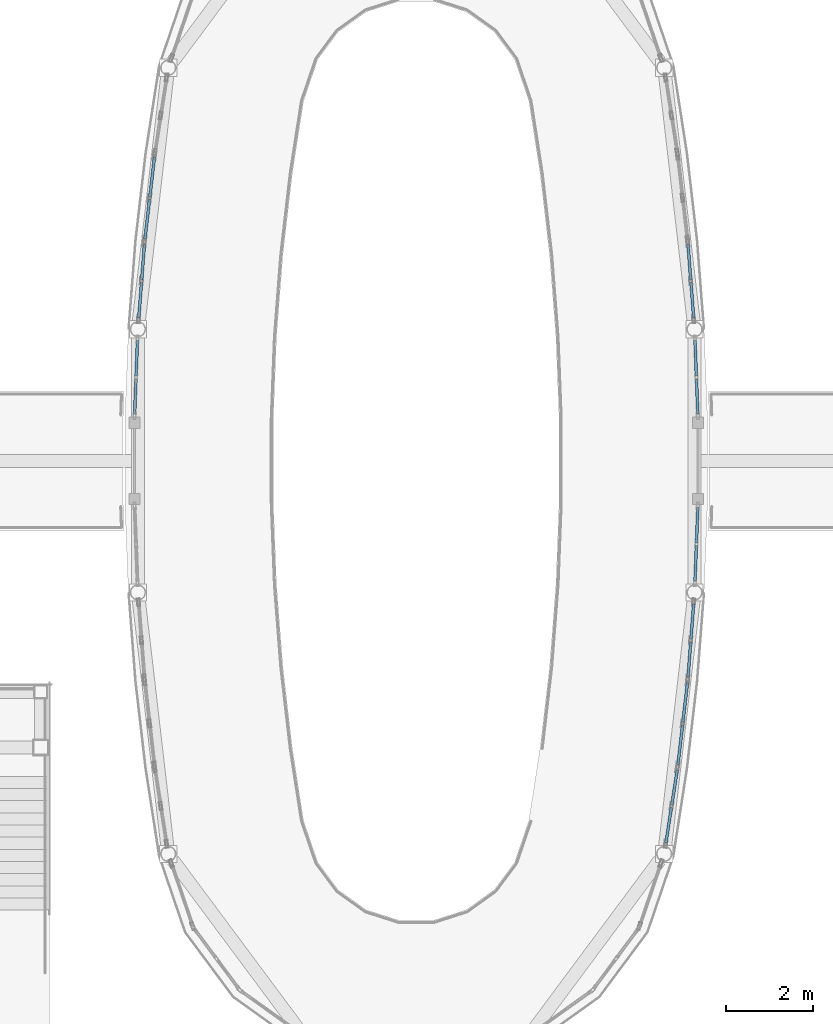
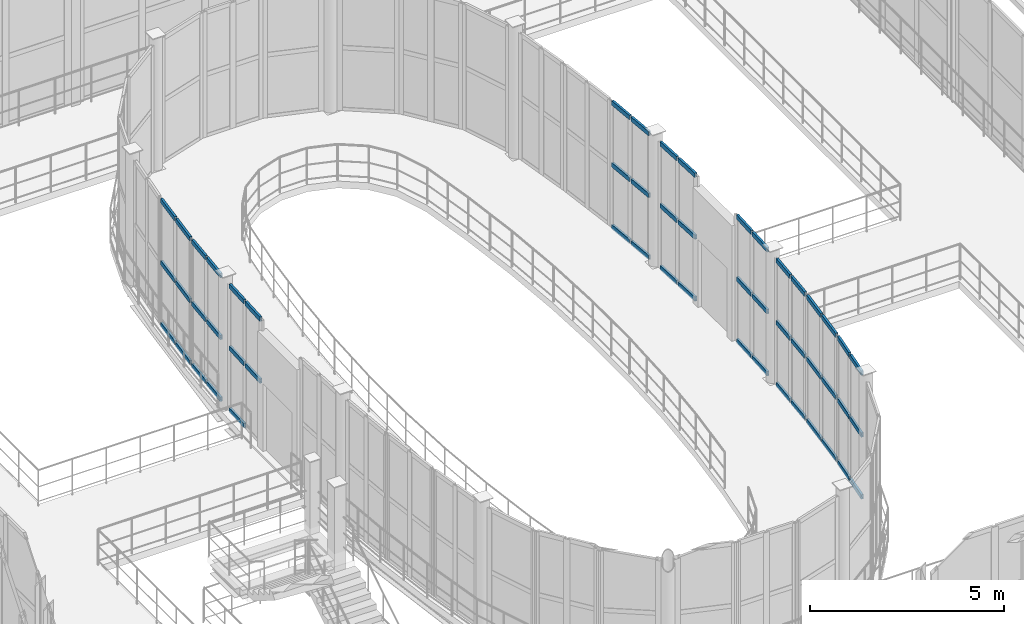
# One storey, part 90 of 138: 53 members, 9 elements without a shape of their own.
"""IFC4 building model written with IfcOpenShell, lengths in metres."""

from ifc_helpers import new_model, si_unit, direction, frame, origin, origin_2d, place, context, subcontext, project, spatial, hollow_rectangle, extrude, material, layer, layer_set, material_profile, profile_set, type_object, element, aggregate, save


model = new_model("IFC4")

# Units and contexts
model_context = context("Model", 3, precision=1e-05, world=origin(), true_north=direction((0.0, 1.0)))
body_context = subcontext(model_context, "Body", "Model", "MODEL_VIEW")
ifc_project = project(units=[si_unit("LENGTHUNIT", "METRE"), si_unit("AREAUNIT", "SQUARE_METRE"), si_unit("VOLUMEUNIT", "CUBIC_METRE"), si_unit("PLANEANGLEUNIT", "RADIAN"), si_unit("MASSUNIT", "GRAM", prefix="KILO")], contexts=[model_context])

# Site, building, storey
site_placement = place(None, origin())
site = spatial("IfcSite", under=ifc_project, at=site_placement, CompositionType="ELEMENT")
building_placement = place(site_placement, origin())
building = spatial("IfcBuilding", under=site, at=building_placement, Name="Vinh Khe Railworks Police Headquarters", CompositionType="ELEMENT")
storey_placement = place(building_placement, frame((0.0, 0.0, 9.0)))
storey = spatial("IfcBuildingStorey", under=building, at=storey_placement, Name="L02", CompositionType="ELEMENT", Elevation=9.0)

# Curtain wall, members
ifc_material_1 = material(Name="Anodised aluminium and acoustic laminated glass", Category="aluminium")
ifc_layer = layer(ifc_material_1, 0.159912109375)
ifc_layer_set = layer_set([ifc_layer], Name="Anodised aluminium and acoustic laminated glass")
curtain_wall_type = type_object("IfcCurtainWallType", Name="CW-DRUM-CHORD", PredefinedType="USERDEFINED", material=ifc_layer_set)
curtain_wall_1_placement = place(storey_placement, origin())
curtain_wall_1 = element("IfcCurtainWall", 1, at=curtain_wall_1_placement, inside=storey, type_object=curtain_wall_type, Name="Elliptical Command Drum Glazing L02 Chord 1", ObjectType="DRUM FACADE GLAZING", PredefinedType="USERDEFINED")
ifc_material_2 = material(Name="Anodised aluminium 6063-T6", Category="aluminium")
ifc_material_profile = material_profile(ifc_material_2, hollow_rectangle(XDim=0.06494140625, YDim=0.139892578125, WallThickness=0.00390625, at=origin_2d()), Name="CW-T 65x140x4")
ifc_profile_set = profile_set([ifc_material_profile], Name="Anodised aluminium 6063-T6")
member_type = type_object("IfcMemberType", Name="TRAN-CWT-02", PredefinedType="USERDEFINED", material=ifc_profile_set)
member_1_placement = place(storey_placement, frame((48.953369140625, 33.203857421875, 0.032470703125), z_axis=(0.153407952205, 0.988162942131, 0.0), x_axis=(-0.988162942131, 0.153407952205, 0.0)))
member_1 = element("IfcMember", 2, at=member_1_placement, type_object=member_type, Name="CW-02 transom 1.1", ObjectType="TRANSOM", PredefinedType="USERDEFINED", context=body_context, shape_type="SweptSolid", body=[
    extrude(hollow_rectangle(XDim=0.06494140625, YDim=0.139892578125, WallThickness=0.00390625, at=origin_2d()), origin(), (0.0, 0.0, 1.0), 0.81494140625),
])
member_2_placement = place(storey_placement, frame((48.953369140625, 33.203857421875, 1.985107421875), z_axis=(0.153407952205, 0.988162942131, 0.0), x_axis=(-0.988162942131, 0.153407952205, 0.0)))
member_2 = element("IfcMember", 3, at=member_2_placement, type_object=member_type, Name="CW-02 transom 1.2", ObjectType="TRANSOM", PredefinedType="USERDEFINED", context=body_context, shape_type="SweptSolid", body=[
    extrude(hollow_rectangle(XDim=0.06494140625, YDim=0.139892578125, WallThickness=0.00390625, at=origin_2d()), origin(), (0.0, 0.0, 1.0), 0.81494140625),
])
member_3_placement = place(storey_placement, frame((48.953369140625, 33.203857421875, 3.9375), z_axis=(0.153407952205, 0.988162942131, 0.0), x_axis=(-0.988162942131, 0.153407952205, 0.0)))
member_3 = element("IfcMember", 4, at=member_3_placement, type_object=member_type, Name="CW-02 transom 1.3", ObjectType="TRANSOM", PredefinedType="USERDEFINED", context=body_context, shape_type="SweptSolid", body=[
    extrude(hollow_rectangle(XDim=0.06494140625, YDim=0.139892578125, WallThickness=0.00390625, at=origin_2d()), origin(), (0.0, 0.0, 1.0), 0.81494140625),
])
member_4_placement = place(storey_placement, frame((49.08837890625, 34.0732421875, 0.032470703125), z_axis=(0.153700505555, 0.988117480157, 0.0), x_axis=(-0.988117480157, 0.153700505555, 0.0)))
member_4 = element("IfcMember", 5, at=member_4_placement, type_object=member_type, Name="CW-02 transom 2.1", ObjectType="TRANSOM", PredefinedType="USERDEFINED", context=body_context, shape_type="SweptSolid", body=[
    extrude(hollow_rectangle(XDim=0.06494140625, YDim=0.139892578125, WallThickness=0.00390625, at=origin_2d()), origin(), (0.0, 0.0, 1.0), 0.81494140625),
])
member_5_placement = place(storey_placement, frame((49.08837890625, 34.0732421875, 1.985107421875), z_axis=(0.153700505555, 0.988117480157, 0.0), x_axis=(-0.988117480157, 0.153700505555, 0.0)))
member_5 = element("IfcMember", 6, at=member_5_placement, type_object=member_type, Name="CW-02 transom 2.2", ObjectType="TRANSOM", PredefinedType="USERDEFINED", context=body_context, shape_type="SweptSolid", body=[
    extrude(hollow_rectangle(XDim=0.06494140625, YDim=0.139892578125, WallThickness=0.00390625, at=origin_2d()), origin(), (0.0, 0.0, 1.0), 0.81494140625),
])
member_6_placement = place(storey_placement, frame((49.08837890625, 34.0732421875, 3.9375), z_axis=(0.153700505555, 0.988117480157, 0.0), x_axis=(-0.988117480157, 0.153700505555, 0.0)))
member_6 = element("IfcMember", 7, at=member_6_placement, type_object=member_type, Name="CW-02 transom 2.3", ObjectType="TRANSOM", PredefinedType="USERDEFINED", context=body_context, shape_type="SweptSolid", body=[
    extrude(hollow_rectangle(XDim=0.06494140625, YDim=0.139892578125, WallThickness=0.00390625, at=origin_2d()), origin(), (0.0, 0.0, 1.0), 0.81494140625),
])
aggregate(curtain_wall_1, [member_1, member_2, member_3, member_4, member_5, member_6])

curtain_wall_2_placement = place(storey_placement, origin())
curtain_wall_2 = element("IfcCurtainWall", 8, at=curtain_wall_2_placement, inside=storey, type_object=curtain_wall_type, Name="Elliptical Command Drum Glazing L02 Chord 2", ObjectType="DRUM FACADE GLAZING", PredefinedType="USERDEFINED")
member_7_placement = place(storey_placement, frame((49.23095703125, 35.007080078125, 0.032470703125), z_axis=(0.115415034378, 0.993317356055, 0.0), x_axis=(-0.993317356055, 0.115415034378, 0.0)))
member_7 = element("IfcMember", 9, at=member_7_placement, type_object=member_type, Name="CW-02 transom 1.1", ObjectType="TRANSOM", PredefinedType="USERDEFINED", context=body_context, shape_type="SweptSolid", body=[
    extrude(hollow_rectangle(XDim=0.06494140625, YDim=0.139892578125, WallThickness=0.00390625, at=origin_2d()), origin(), (0.0, 0.0, 1.0), 0.913818359375),
])
member_8_placement = place(storey_placement, frame((49.23095703125, 35.007080078125, 1.985107421875), z_axis=(0.115415034378, 0.993317356055, 0.0), x_axis=(-0.993317356055, 0.115415034378, 0.0)))
member_8 = element("IfcMember", 10, at=member_8_placement, type_object=member_type, Name="CW-02 transom 1.2", ObjectType="TRANSOM", PredefinedType="USERDEFINED", context=body_context, shape_type="SweptSolid", body=[
    extrude(hollow_rectangle(XDim=0.06494140625, YDim=0.139892578125, WallThickness=0.00390625, at=origin_2d()), origin(), (0.0, 0.0, 1.0), 0.913818359375),
])
member_9_placement = place(storey_placement, frame((49.23095703125, 35.007080078125, 3.9375), z_axis=(0.115415034378, 0.993317356055, 0.0), x_axis=(-0.993317356055, 0.115415034378, 0.0)))
member_9 = element("IfcMember", 11, at=member_9_placement, type_object=member_type, Name="CW-02 transom 1.3", ObjectType="TRANSOM", PredefinedType="USERDEFINED", context=body_context, shape_type="SweptSolid", body=[
    extrude(hollow_rectangle(XDim=0.06494140625, YDim=0.139892578125, WallThickness=0.00390625, at=origin_2d()), origin(), (0.0, 0.0, 1.0), 0.913818359375),
])
member_10_placement = place(storey_placement, frame((49.34375, 35.979248046875, 0.032470703125), z_axis=(0.115415034378, 0.993317356055, 0.0), x_axis=(-0.993317356055, 0.115415034378, 0.0)))
member_10 = element("IfcMember", 12, at=member_10_placement, type_object=member_type, Name="CW-02 transom 2.1", ObjectType="TRANSOM", PredefinedType="USERDEFINED", context=body_context, shape_type="SweptSolid", body=[
    extrude(hollow_rectangle(XDim=0.06494140625, YDim=0.139892578125, WallThickness=0.00390625, at=origin_2d()), origin(), (0.0, 0.0, 1.0), 0.913818359375),
])
member_11_placement = place(storey_placement, frame((49.34375, 35.979248046875, 1.985107421875), z_axis=(0.115415034378, 0.993317356055, 0.0), x_axis=(-0.993317356055, 0.115415034378, 0.0)))
member_11 = element("IfcMember", 13, at=member_11_placement, type_object=member_type, Name="CW-02 transom 2.2", ObjectType="TRANSOM", PredefinedType="USERDEFINED", context=body_context, shape_type="SweptSolid", body=[
    extrude(hollow_rectangle(XDim=0.06494140625, YDim=0.139892578125, WallThickness=0.00390625, at=origin_2d()), origin(), (0.0, 0.0, 1.0), 0.913818359375),
])
member_12_placement = place(storey_placement, frame((49.34375, 35.979248046875, 3.9375), z_axis=(0.115415034378, 0.993317356055, 0.0), x_axis=(-0.993317356055, 0.115415034378, 0.0)))
member_12 = element("IfcMember", 14, at=member_12_placement, type_object=member_type, Name="CW-02 transom 2.3", ObjectType="TRANSOM", PredefinedType="USERDEFINED", context=body_context, shape_type="SweptSolid", body=[
    extrude(hollow_rectangle(XDim=0.06494140625, YDim=0.139892578125, WallThickness=0.00390625, at=origin_2d()), origin(), (0.0, 0.0, 1.0), 0.913818359375),
])
aggregate(curtain_wall_2, [member_7, member_8, member_9, member_10, member_11, member_12])

curtain_wall_3_placement = place(storey_placement, origin())
curtain_wall_3 = element("IfcCurtainWall", 15, at=curtain_wall_3_placement, inside=storey, type_object=curtain_wall_type, Name="Elliptical Command Drum Glazing L02 Chord 3", ObjectType="DRUM FACADE GLAZING", PredefinedType="USERDEFINED")
member_13_placement = place(storey_placement, frame((49.461669921875, 37.016357421875, 0.032470703125), z_axis=(0.077017326993, 0.997029754492, 0.0), x_axis=(-0.997029754492, 0.077017326993, 0.0)))
member_13 = element("IfcMember", 16, at=member_13_placement, type_object=member_type, Name="CW-02 transom 1.1", ObjectType="TRANSOM", PredefinedType="USERDEFINED", context=body_context, shape_type="SweptSolid", body=[
    extrude(hollow_rectangle(XDim=0.06494140625, YDim=0.139892578125, WallThickness=0.00390625, at=origin_2d()), origin(), (0.0, 0.0, 1.0), 0.814697265625),
])
member_14_placement = place(storey_placement, frame((49.461669921875, 37.016357421875, 1.985107421875), z_axis=(0.077017326993, 0.997029754492, 0.0), x_axis=(-0.997029754492, 0.077017326993, 0.0)))
member_14 = element("IfcMember", 17, at=member_14_placement, type_object=member_type, Name="CW-02 transom 1.2", ObjectType="TRANSOM", PredefinedType="USERDEFINED", context=body_context, shape_type="SweptSolid", body=[
    extrude(hollow_rectangle(XDim=0.06494140625, YDim=0.139892578125, WallThickness=0.00390625, at=origin_2d()), origin(), (0.0, 0.0, 1.0), 0.814697265625),
])
member_15_placement = place(storey_placement, frame((49.461669921875, 37.016357421875, 3.9375), z_axis=(0.077017326993, 0.997029754492, 0.0), x_axis=(-0.997029754492, 0.077017326993, 0.0)))
member_15 = element("IfcMember", 18, at=member_15_placement, type_object=member_type, Name="CW-02 transom 1.3", ObjectType="TRANSOM", PredefinedType="USERDEFINED", context=body_context, shape_type="SweptSolid", body=[
    extrude(hollow_rectangle(XDim=0.06494140625, YDim=0.139892578125, WallThickness=0.00390625, at=origin_2d()), origin(), (0.0, 0.0, 1.0), 0.814697265625),
])
member_16_placement = place(storey_placement, frame((49.529541015625, 37.8935546875, 0.032470703125), z_axis=(0.076719415969, 0.997052722384, 0.0), x_axis=(-0.997052722384, 0.076719415969, 0.0)))
member_16 = element("IfcMember", 19, at=member_16_placement, type_object=member_type, Name="CW-02 transom 2.1", ObjectType="TRANSOM", PredefinedType="USERDEFINED", context=body_context, shape_type="SweptSolid", body=[
    extrude(hollow_rectangle(XDim=0.06494140625, YDim=0.139892578125, WallThickness=0.00390625, at=origin_2d()), origin(), (0.0, 0.0, 1.0), 0.814697265625),
])
member_17_placement = place(storey_placement, frame((49.529541015625, 37.8935546875, 1.985107421875), z_axis=(0.076719415969, 0.997052722384, 0.0), x_axis=(-0.997052722384, 0.076719415969, 0.0)))
member_17 = element("IfcMember", 20, at=member_17_placement, type_object=member_type, Name="CW-02 transom 2.2", ObjectType="TRANSOM", PredefinedType="USERDEFINED", context=body_context, shape_type="SweptSolid", body=[
    extrude(hollow_rectangle(XDim=0.06494140625, YDim=0.139892578125, WallThickness=0.00390625, at=origin_2d()), origin(), (0.0, 0.0, 1.0), 0.814697265625),
])
member_18_placement = place(storey_placement, frame((49.529541015625, 37.8935546875, 3.9375), z_axis=(0.076719415969, 0.997052722384, 0.0), x_axis=(-0.997052722384, 0.076719415969, 0.0)))
member_18 = element("IfcMember", 21, at=member_18_placement, type_object=member_type, Name="CW-02 transom 2.3", ObjectType="TRANSOM", PredefinedType="USERDEFINED", context=body_context, shape_type="SweptSolid", body=[
    extrude(hollow_rectangle(XDim=0.06494140625, YDim=0.139892578125, WallThickness=0.00390625, at=origin_2d()), origin(), (0.0, 0.0, 1.0), 0.814697265625),
])
aggregate(curtain_wall_3, [member_13, member_14, member_15, member_16, member_17, member_18])

curtain_wall_4_placement = place(storey_placement, origin())
curtain_wall_4 = element("IfcCurtainWall", 22, at=curtain_wall_4_placement, inside=storey, type_object=curtain_wall_type, Name="Elliptical Command Drum Glazing L02 Chord 4", ObjectType="DRUM FACADE GLAZING", PredefinedType="USERDEFINED")
member_19_placement = place(storey_placement, frame((49.62255859375, 39.23046875, 0.032470703125), z_axis=(0.038352571662, 0.999264269474, 0.0), x_axis=(-0.999264269474, 0.038352571662, 0.0)))
member_19 = element("IfcMember", 23, at=member_19_placement, type_object=member_type, Name="CW-02 transom 1.1", ObjectType="TRANSOM", PredefinedType="USERDEFINED", context=body_context, shape_type="SweptSolid", body=[
    extrude(hollow_rectangle(XDim=0.06494140625, YDim=0.139892578125, WallThickness=0.00390625, at=origin_2d()), origin(), (0.0, 0.0, 1.0), 0.814697265625),
])
member_20_placement = place(storey_placement, frame((49.62255859375, 39.23046875, 1.985107421875), z_axis=(0.038352571662, 0.999264269474, 0.0), x_axis=(-0.999264269474, 0.038352571662, 0.0)))
member_20 = element("IfcMember", 24, at=member_20_placement, type_object=member_type, Name="CW-02 transom 1.2", ObjectType="TRANSOM", PredefinedType="USERDEFINED", context=body_context, shape_type="SweptSolid", body=[
    extrude(hollow_rectangle(XDim=0.06494140625, YDim=0.139892578125, WallThickness=0.00390625, at=origin_2d()), origin(), (0.0, 0.0, 1.0), 0.814697265625),
])
member_21_placement = place(storey_placement, frame((49.62255859375, 39.23046875, 3.9375), z_axis=(0.038352571662, 0.999264269474, 0.0), x_axis=(-0.999264269474, 0.038352571662, 0.0)))
member_21 = element("IfcMember", 25, at=member_21_placement, type_object=member_type, Name="CW-02 transom 1.3", ObjectType="TRANSOM", PredefinedType="USERDEFINED", context=body_context, shape_type="SweptSolid", body=[
    extrude(hollow_rectangle(XDim=0.06494140625, YDim=0.139892578125, WallThickness=0.00390625, at=origin_2d()), origin(), (0.0, 0.0, 1.0), 0.814697265625),
])
member_22_placement = place(storey_placement, frame((49.656494140625, 40.109619140625, 0.032470703125), z_axis=(0.038352571662, 0.999264269474, 0.0), x_axis=(-0.999264269474, 0.038352571662, 0.0)))
member_22 = element("IfcMember", 26, at=member_22_placement, type_object=member_type, Name="CW-02 transom 2.1", ObjectType="TRANSOM", PredefinedType="USERDEFINED", context=body_context, shape_type="SweptSolid", body=[
    extrude(hollow_rectangle(XDim=0.06494140625, YDim=0.139892578125, WallThickness=0.00390625, at=origin_2d()), origin(), (0.0, 0.0, 1.0), 0.814697265625),
])
member_23_placement = place(storey_placement, frame((49.656494140625, 40.109619140625, 1.985107421875), z_axis=(0.038352571662, 0.999264269474, 0.0), x_axis=(-0.999264269474, 0.038352571662, 0.0)))
member_23 = element("IfcMember", 27, at=member_23_placement, type_object=member_type, Name="CW-02 transom 2.2", ObjectType="TRANSOM", PredefinedType="USERDEFINED", context=body_context, shape_type="SweptSolid", body=[
    extrude(hollow_rectangle(XDim=0.06494140625, YDim=0.139892578125, WallThickness=0.00390625, at=origin_2d()), origin(), (0.0, 0.0, 1.0), 0.814697265625),
])
member_24_placement = place(storey_placement, frame((49.656494140625, 40.109619140625, 3.9375), z_axis=(0.038352571662, 0.999264269474, 0.0), x_axis=(-0.999264269474, 0.038352571662, 0.0)))
member_24 = element("IfcMember", 28, at=member_24_placement, type_object=member_type, Name="CW-02 transom 2.3", ObjectType="TRANSOM", PredefinedType="USERDEFINED", context=body_context, shape_type="SweptSolid", body=[
    extrude(hollow_rectangle(XDim=0.06494140625, YDim=0.139892578125, WallThickness=0.00390625, at=origin_2d()), origin(), (0.0, 0.0, 1.0), 0.814697265625),
])
aggregate(curtain_wall_4, [member_19, member_20, member_21, member_22, member_23, member_24])

curtain_wall_5_placement = place(storey_placement, origin())
curtain_wall_5 = element("IfcCurtainWall", 29, at=curtain_wall_5_placement, inside=storey, type_object=curtain_wall_type, Name="Elliptical Command Drum Glazing L02 Chord 6", ObjectType="DRUM FACADE GLAZING", PredefinedType="USERDEFINED")
member_25_placement = place(storey_placement, frame((49.687744140625, 43.076171875, 0.032470703125), z_axis=(-0.038352571662, 0.999264269474, 0.0), x_axis=(-0.999264269474, -0.038352571662, 0.0)))
member_25 = element("IfcMember", 30, at=member_25_placement, type_object=member_type, Name="CW-02 transom 1.1", ObjectType="TRANSOM", PredefinedType="USERDEFINED", context=body_context, shape_type="SweptSolid", body=[
    extrude(hollow_rectangle(XDim=0.06494140625, YDim=0.139892578125, WallThickness=0.00390625, at=origin_2d()), origin(), (0.0, 0.0, 1.0), 0.814697265625),
])
member_26_placement = place(storey_placement, frame((49.687744140625, 43.076171875, 1.985107421875), z_axis=(-0.038352571662, 0.999264269474, 0.0), x_axis=(-0.999264269474, -0.038352571662, 0.0)))
member_26 = element("IfcMember", 31, at=member_26_placement, type_object=member_type, Name="CW-02 transom 1.2", ObjectType="TRANSOM", PredefinedType="USERDEFINED", context=body_context, shape_type="SweptSolid", body=[
    extrude(hollow_rectangle(XDim=0.06494140625, YDim=0.139892578125, WallThickness=0.00390625, at=origin_2d()), origin(), (0.0, 0.0, 1.0), 0.814697265625),
])
member_27_placement = place(storey_placement, frame((49.687744140625, 43.076171875, 3.9375), z_axis=(-0.038352571662, 0.999264269474, 0.0), x_axis=(-0.999264269474, -0.038352571662, 0.0)))
member_27 = element("IfcMember", 32, at=member_27_placement, type_object=member_type, Name="CW-02 transom 1.3", ObjectType="TRANSOM", PredefinedType="USERDEFINED", context=body_context, shape_type="SweptSolid", body=[
    extrude(hollow_rectangle(XDim=0.06494140625, YDim=0.139892578125, WallThickness=0.00390625, at=origin_2d()), origin(), (0.0, 0.0, 1.0), 0.814697265625),
])
member_28_placement = place(storey_placement, frame((49.65380859375, 43.955322265625, 0.032470703125), z_axis=(-0.038352571662, 0.999264269474, 0.0), x_axis=(-0.999264269474, -0.038352571662, 0.0)))
member_28 = element("IfcMember", 33, at=member_28_placement, type_object=member_type, Name="CW-02 transom 2.1", ObjectType="TRANSOM", PredefinedType="USERDEFINED", context=body_context, shape_type="SweptSolid", body=[
    extrude(hollow_rectangle(XDim=0.06494140625, YDim=0.139892578125, WallThickness=0.00390625, at=origin_2d()), origin(), (0.0, 0.0, 1.0), 0.814697265625),
])
member_29_placement = place(storey_placement, frame((49.65380859375, 43.955322265625, 1.985107421875), z_axis=(-0.038352571662, 0.999264269474, 0.0), x_axis=(-0.999264269474, -0.038352571662, 0.0)))
member_29 = element("IfcMember", 34, at=member_29_placement, type_object=member_type, Name="CW-02 transom 2.2", ObjectType="TRANSOM", PredefinedType="USERDEFINED", context=body_context, shape_type="SweptSolid", body=[
    extrude(hollow_rectangle(XDim=0.06494140625, YDim=0.139892578125, WallThickness=0.00390625, at=origin_2d()), origin(), (0.0, 0.0, 1.0), 0.814697265625),
])
member_30_placement = place(storey_placement, frame((49.65380859375, 43.955322265625, 3.9375), z_axis=(-0.038352571662, 0.999264269474, 0.0), x_axis=(-0.999264269474, -0.038352571662, 0.0)))
member_30 = element("IfcMember", 35, at=member_30_placement, type_object=member_type, Name="CW-02 transom 2.3", ObjectType="TRANSOM", PredefinedType="USERDEFINED", context=body_context, shape_type="SweptSolid", body=[
    extrude(hollow_rectangle(XDim=0.06494140625, YDim=0.139892578125, WallThickness=0.00390625, at=origin_2d()), origin(), (0.0, 0.0, 1.0), 0.814697265625),
])
aggregate(curtain_wall_5, [member_25, member_26, member_27, member_28, member_29, member_30])

curtain_wall_6_placement = place(storey_placement, origin())
curtain_wall_6 = element("IfcCurtainWall", 36, at=curtain_wall_6_placement, inside=storey, type_object=curtain_wall_type, Name="Elliptical Command Drum Glazing L02 Chord 7", ObjectType="DRUM FACADE GLAZING", PredefinedType="USERDEFINED")
member_31_placement = place(storey_placement, frame((49.592041015625, 45.294189453125, 0.032470703125), z_axis=(-0.076719415969, 0.997052722384, 0.0), x_axis=(-0.997052722384, -0.076719415969, 0.0)))
member_31 = element("IfcMember", 37, at=member_31_placement, type_object=member_type, Name="CW-02 transom 1.1", ObjectType="TRANSOM", PredefinedType="USERDEFINED", context=body_context, shape_type="SweptSolid", body=[
    extrude(hollow_rectangle(XDim=0.06494140625, YDim=0.139892578125, WallThickness=0.00390625, at=origin_2d()), origin(), (0.0, 0.0, 1.0), 0.814697265625),
])
member_32_placement = place(storey_placement, frame((49.592041015625, 45.294189453125, 1.985107421875), z_axis=(-0.076719415969, 0.997052722384, 0.0), x_axis=(-0.997052722384, -0.076719415969, 0.0)))
member_32 = element("IfcMember", 38, at=member_32_placement, type_object=member_type, Name="CW-02 transom 1.2", ObjectType="TRANSOM", PredefinedType="USERDEFINED", context=body_context, shape_type="SweptSolid", body=[
    extrude(hollow_rectangle(XDim=0.06494140625, YDim=0.139892578125, WallThickness=0.00390625, at=origin_2d()), origin(), (0.0, 0.0, 1.0), 0.814697265625),
])
member_33_placement = place(storey_placement, frame((49.592041015625, 45.294189453125, 3.9375), z_axis=(-0.076719415969, 0.997052722384, 0.0), x_axis=(-0.997052722384, -0.076719415969, 0.0)))
member_33 = element("IfcMember", 39, at=member_33_placement, type_object=member_type, Name="CW-02 transom 1.3", ObjectType="TRANSOM", PredefinedType="USERDEFINED", context=body_context, shape_type="SweptSolid", body=[
    extrude(hollow_rectangle(XDim=0.06494140625, YDim=0.139892578125, WallThickness=0.00390625, at=origin_2d()), origin(), (0.0, 0.0, 1.0), 0.814697265625),
])
member_34_placement = place(storey_placement, frame((49.5244140625, 46.17138671875, 0.032470703125), z_axis=(-0.077017326993, 0.997029754492, 0.0), x_axis=(-0.997029754492, -0.077017326993, 0.0)))
member_34 = element("IfcMember", 40, at=member_34_placement, type_object=member_type, Name="CW-02 transom 2.1", ObjectType="TRANSOM", PredefinedType="USERDEFINED", context=body_context, shape_type="SweptSolid", body=[
    extrude(hollow_rectangle(XDim=0.06494140625, YDim=0.139892578125, WallThickness=0.00390625, at=origin_2d()), origin(), (0.0, 0.0, 1.0), 0.814697265625),
])
member_35_placement = place(storey_placement, frame((49.5244140625, 46.17138671875, 1.985107421875), z_axis=(-0.077017326993, 0.997029754492, 0.0), x_axis=(-0.997029754492, -0.077017326993, 0.0)))
member_35 = element("IfcMember", 41, at=member_35_placement, type_object=member_type, Name="CW-02 transom 2.2", ObjectType="TRANSOM", PredefinedType="USERDEFINED", context=body_context, shape_type="SweptSolid", body=[
    extrude(hollow_rectangle(XDim=0.06494140625, YDim=0.139892578125, WallThickness=0.00390625, at=origin_2d()), origin(), (0.0, 0.0, 1.0), 0.814697265625),
])
member_36_placement = place(storey_placement, frame((49.5244140625, 46.17138671875, 3.9375), z_axis=(-0.077017326993, 0.997029754492, 0.0), x_axis=(-0.997029754492, -0.077017326993, 0.0)))
member_36 = element("IfcMember", 42, at=member_36_placement, type_object=member_type, Name="CW-02 transom 2.3", ObjectType="TRANSOM", PredefinedType="USERDEFINED", context=body_context, shape_type="SweptSolid", body=[
    extrude(hollow_rectangle(XDim=0.06494140625, YDim=0.139892578125, WallThickness=0.00390625, at=origin_2d()), origin(), (0.0, 0.0, 1.0), 0.814697265625),
])
aggregate(curtain_wall_6, [member_31, member_32, member_33, member_34, member_35, member_36])

curtain_wall_7_placement = place(storey_placement, origin())
curtain_wall_7 = element("IfcCurtainWall", 43, at=curtain_wall_7_placement, inside=storey, type_object=curtain_wall_type, Name="Elliptical Command Drum Glazing L02 Chord 20", ObjectType="DRUM FACADE GLAZING", PredefinedType="USERDEFINED")
member_37_placement = place(storey_placement, frame((37.1689453125, 48.992919921875, 0.032470703125), z_axis=(-0.115151416561, -0.993347950752, 0.0), x_axis=(0.993347950752, -0.115151416561, 0.0)))
member_37 = element("IfcMember", 44, at=member_37_placement, type_object=member_type, Name="CW-02 transom 1.1", ObjectType="TRANSOM", PredefinedType="USERDEFINED", context=body_context, shape_type="SweptSolid", body=[
    extrude(hollow_rectangle(XDim=0.06494140625, YDim=0.139892578125, WallThickness=0.00390625, at=origin_2d()), origin(), (0.0, 0.0, 1.0), 0.913818359375),
])
member_38_placement = place(storey_placement, frame((37.1689453125, 48.992919921875, 1.985107421875), z_axis=(-0.115151416561, -0.993347950752, 0.0), x_axis=(0.993347950752, -0.115151416561, 0.0)))
member_38 = element("IfcMember", 45, at=member_38_placement, type_object=member_type, Name="CW-02 transom 1.2", ObjectType="TRANSOM", PredefinedType="USERDEFINED", context=body_context, shape_type="SweptSolid", body=[
    extrude(hollow_rectangle(XDim=0.06494140625, YDim=0.139892578125, WallThickness=0.00390625, at=origin_2d()), origin(), (0.0, 0.0, 1.0), 0.913818359375),
])
member_39_placement = place(storey_placement, frame((37.1689453125, 48.992919921875, 3.9375), z_axis=(-0.115151416561, -0.993347950752, 0.0), x_axis=(0.993347950752, -0.115151416561, 0.0)))
member_39 = element("IfcMember", 46, at=member_39_placement, type_object=member_type, Name="CW-02 transom 1.3", ObjectType="TRANSOM", PredefinedType="USERDEFINED", context=body_context, shape_type="SweptSolid", body=[
    extrude(hollow_rectangle(XDim=0.06494140625, YDim=0.139892578125, WallThickness=0.00390625, at=origin_2d()), origin(), (0.0, 0.0, 1.0), 0.913818359375),
])
member_40_placement = place(storey_placement, frame((37.05615234375, 48.020751953125, 0.032470703125), z_axis=(-0.115415034378, -0.993317356055, 0.0), x_axis=(0.993317356055, -0.115415034378, 0.0)))
member_40 = element("IfcMember", 47, at=member_40_placement, type_object=member_type, Name="CW-02 transom 2.1", ObjectType="TRANSOM", PredefinedType="USERDEFINED", context=body_context, shape_type="SweptSolid", body=[
    extrude(hollow_rectangle(XDim=0.06494140625, YDim=0.139892578125, WallThickness=0.00390625, at=origin_2d()), origin(), (0.0, 0.0, 1.0), 0.913818359375),
])
member_41_placement = place(storey_placement, frame((37.05615234375, 48.020751953125, 1.985107421875), z_axis=(-0.115415034378, -0.993317356055, 0.0), x_axis=(0.993317356055, -0.115415034378, 0.0)))
member_41 = element("IfcMember", 48, at=member_41_placement, type_object=member_type, Name="CW-02 transom 2.2", ObjectType="TRANSOM", PredefinedType="USERDEFINED", context=body_context, shape_type="SweptSolid", body=[
    extrude(hollow_rectangle(XDim=0.06494140625, YDim=0.139892578125, WallThickness=0.00390625, at=origin_2d()), origin(), (0.0, 0.0, 1.0), 0.913818359375),
])
member_42_placement = place(storey_placement, frame((37.05615234375, 48.020751953125, 3.9375), z_axis=(-0.115415034378, -0.993317356055, 0.0), x_axis=(0.993317356055, -0.115415034378, 0.0)))
member_42 = element("IfcMember", 49, at=member_42_placement, type_object=member_type, Name="CW-02 transom 2.3", ObjectType="TRANSOM", PredefinedType="USERDEFINED", context=body_context, shape_type="SweptSolid", body=[
    extrude(hollow_rectangle(XDim=0.06494140625, YDim=0.139892578125, WallThickness=0.00390625, at=origin_2d()), origin(), (0.0, 0.0, 1.0), 0.913818359375),
])
aggregate(curtain_wall_7, [member_37, member_38, member_39, member_40, member_41, member_42])

curtain_wall_8_placement = place(storey_placement, origin())
curtain_wall_8 = element("IfcCurtainWall", 50, at=curtain_wall_8_placement, inside=storey, type_object=curtain_wall_type, Name="Elliptical Command Drum Glazing L02 Chord 21", ObjectType="DRUM FACADE GLAZING", PredefinedType="USERDEFINED")
member_43_placement = place(storey_placement, frame((36.938232421875, 46.983642578125, 0.032470703125), z_axis=(-0.077017326993, -0.997029754492, 0.0), x_axis=(0.997029754492, -0.077017326993, 0.0)))
member_43 = element("IfcMember", 51, at=member_43_placement, type_object=member_type, Name="CW-02 transom 1.1", ObjectType="TRANSOM", PredefinedType="USERDEFINED", context=body_context, shape_type="SweptSolid", body=[
    extrude(hollow_rectangle(XDim=0.06494140625, YDim=0.139892578125, WallThickness=0.00390625, at=origin_2d()), origin(), (0.0, 0.0, 1.0), 0.814697265625),
])
member_44_placement = place(storey_placement, frame((36.938232421875, 46.983642578125, 1.985107421875), z_axis=(-0.077017326993, -0.997029754492, 0.0), x_axis=(0.997029754492, -0.077017326993, 0.0)))
member_44 = element("IfcMember", 52, at=member_44_placement, type_object=member_type, Name="CW-02 transom 1.2", ObjectType="TRANSOM", PredefinedType="USERDEFINED", context=body_context, shape_type="SweptSolid", body=[
    extrude(hollow_rectangle(XDim=0.06494140625, YDim=0.139892578125, WallThickness=0.00390625, at=origin_2d()), origin(), (0.0, 0.0, 1.0), 0.814697265625),
])
member_45_placement = place(storey_placement, frame((36.938232421875, 46.983642578125, 3.9375), z_axis=(-0.077017326993, -0.997029754492, 0.0), x_axis=(0.997029754492, -0.077017326993, 0.0)))
member_45 = element("IfcMember", 53, at=member_45_placement, type_object=member_type, Name="CW-02 transom 1.3", ObjectType="TRANSOM", PredefinedType="USERDEFINED", context=body_context, shape_type="SweptSolid", body=[
    extrude(hollow_rectangle(XDim=0.06494140625, YDim=0.139892578125, WallThickness=0.00390625, at=origin_2d()), origin(), (0.0, 0.0, 1.0), 0.814697265625),
])
member_46_placement = place(storey_placement, frame((36.87060546875, 46.1064453125, 0.032470703125), z_axis=(-0.077017326993, -0.997029754492, 0.0), x_axis=(0.997029754492, -0.077017326993, 0.0)))
member_46 = element("IfcMember", 54, at=member_46_placement, type_object=member_type, Name="CW-02 transom 2.1", ObjectType="TRANSOM", PredefinedType="USERDEFINED", context=body_context, shape_type="SweptSolid", body=[
    extrude(hollow_rectangle(XDim=0.06494140625, YDim=0.139892578125, WallThickness=0.00390625, at=origin_2d()), origin(), (0.0, 0.0, 1.0), 0.814697265625),
])
member_47_placement = place(storey_placement, frame((36.87060546875, 46.1064453125, 1.985107421875), z_axis=(-0.077017326993, -0.997029754492, 0.0), x_axis=(0.997029754492, -0.077017326993, 0.0)))
member_47 = element("IfcMember", 55, at=member_47_placement, type_object=member_type, Name="CW-02 transom 2.2", ObjectType="TRANSOM", PredefinedType="USERDEFINED", context=body_context, shape_type="SweptSolid", body=[
    extrude(hollow_rectangle(XDim=0.06494140625, YDim=0.139892578125, WallThickness=0.00390625, at=origin_2d()), origin(), (0.0, 0.0, 1.0), 0.814697265625),
])
member_48_placement = place(storey_placement, frame((36.87060546875, 46.1064453125, 3.9375), z_axis=(-0.077017326993, -0.997029754492, 0.0), x_axis=(0.997029754492, -0.077017326993, 0.0)))
member_48 = element("IfcMember", 56, at=member_48_placement, type_object=member_type, Name="CW-02 transom 2.3", ObjectType="TRANSOM", PredefinedType="USERDEFINED", context=body_context, shape_type="SweptSolid", body=[
    extrude(hollow_rectangle(XDim=0.06494140625, YDim=0.139892578125, WallThickness=0.00390625, at=origin_2d()), origin(), (0.0, 0.0, 1.0), 0.814697265625),
])
aggregate(curtain_wall_8, [member_43, member_44, member_45, member_46, member_47, member_48])

curtain_wall_9_placement = place(storey_placement, origin())
curtain_wall_9 = element("IfcCurtainWall", 57, at=curtain_wall_9_placement, inside=storey, type_object=curtain_wall_type, Name="Elliptical Command Drum Glazing L02 Chord 22", ObjectType="DRUM FACADE GLAZING", PredefinedType="USERDEFINED")
member_49_placement = place(storey_placement, frame((36.777587890625, 44.76953125, 0.032470703125), z_axis=(-0.038651755227, -0.999252741711, 0.0), x_axis=(0.999252741711, -0.038651755227, 0.0)))
member_49 = element("IfcMember", 58, at=member_49_placement, type_object=member_type, Name="CW-02 transom 1.1", ObjectType="TRANSOM", PredefinedType="USERDEFINED", context=body_context, shape_type="SweptSolid", body=[
    extrude(hollow_rectangle(XDim=0.06494140625, YDim=0.139892578125, WallThickness=0.00390625, at=origin_2d()), origin(), (0.0, 0.0, 1.0), 0.814697265625),
])
member_50_placement = place(storey_placement, frame((36.777587890625, 44.76953125, 1.985107421875), z_axis=(-0.038651755227, -0.999252741711, 0.0), x_axis=(0.999252741711, -0.038651755227, 0.0)))
member_50 = element("IfcMember", 59, at=member_50_placement, type_object=member_type, Name="CW-02 transom 1.2", ObjectType="TRANSOM", PredefinedType="USERDEFINED", context=body_context, shape_type="SweptSolid", body=[
    extrude(hollow_rectangle(XDim=0.06494140625, YDim=0.139892578125, WallThickness=0.00390625, at=origin_2d()), origin(), (0.0, 0.0, 1.0), 0.814697265625),
])
member_51_placement = place(storey_placement, frame((36.777587890625, 44.76953125, 3.9375), z_axis=(-0.038651755227, -0.999252741711, 0.0), x_axis=(0.999252741711, -0.038651755227, 0.0)))
member_51 = element("IfcMember", 60, at=member_51_placement, type_object=member_type, Name="CW-02 transom 1.3", ObjectType="TRANSOM", PredefinedType="USERDEFINED", context=body_context, shape_type="SweptSolid", body=[
    extrude(hollow_rectangle(XDim=0.06494140625, YDim=0.139892578125, WallThickness=0.00390625, at=origin_2d()), origin(), (0.0, 0.0, 1.0), 0.814697265625),
])
member_52_placement = place(storey_placement, frame((36.74365234375, 43.890380859375, 1.985107421875), z_axis=(-0.038651755227, -0.999252741711, 0.0), x_axis=(0.999252741711, -0.038651755227, 0.0)))
member_52 = element("IfcMember", 61, at=member_52_placement, type_object=member_type, Name="CW-02 transom 2.2", ObjectType="TRANSOM", PredefinedType="USERDEFINED", context=body_context, shape_type="SweptSolid", body=[
    extrude(hollow_rectangle(XDim=0.06494140625, YDim=0.139892578125, WallThickness=0.00390625, at=origin_2d()), origin(), (0.0, 0.0, 1.0), 0.814697265625),
])
member_53_placement = place(storey_placement, frame((36.74365234375, 43.890380859375, 3.9375), z_axis=(-0.038651755227, -0.999252741711, 0.0), x_axis=(0.999252741711, -0.038651755227, 0.0)))
member_53 = element("IfcMember", 62, at=member_53_placement, type_object=member_type, Name="CW-02 transom 2.3", ObjectType="TRANSOM", PredefinedType="USERDEFINED", context=body_context, shape_type="SweptSolid", body=[
    extrude(hollow_rectangle(XDim=0.06494140625, YDim=0.139892578125, WallThickness=0.00390625, at=origin_2d()), origin(), (0.0, 0.0, 1.0), 0.814697265625),
])
aggregate(curtain_wall_9, [member_49, member_50, member_51, member_52, member_53])

save(model, "model.ifc")
